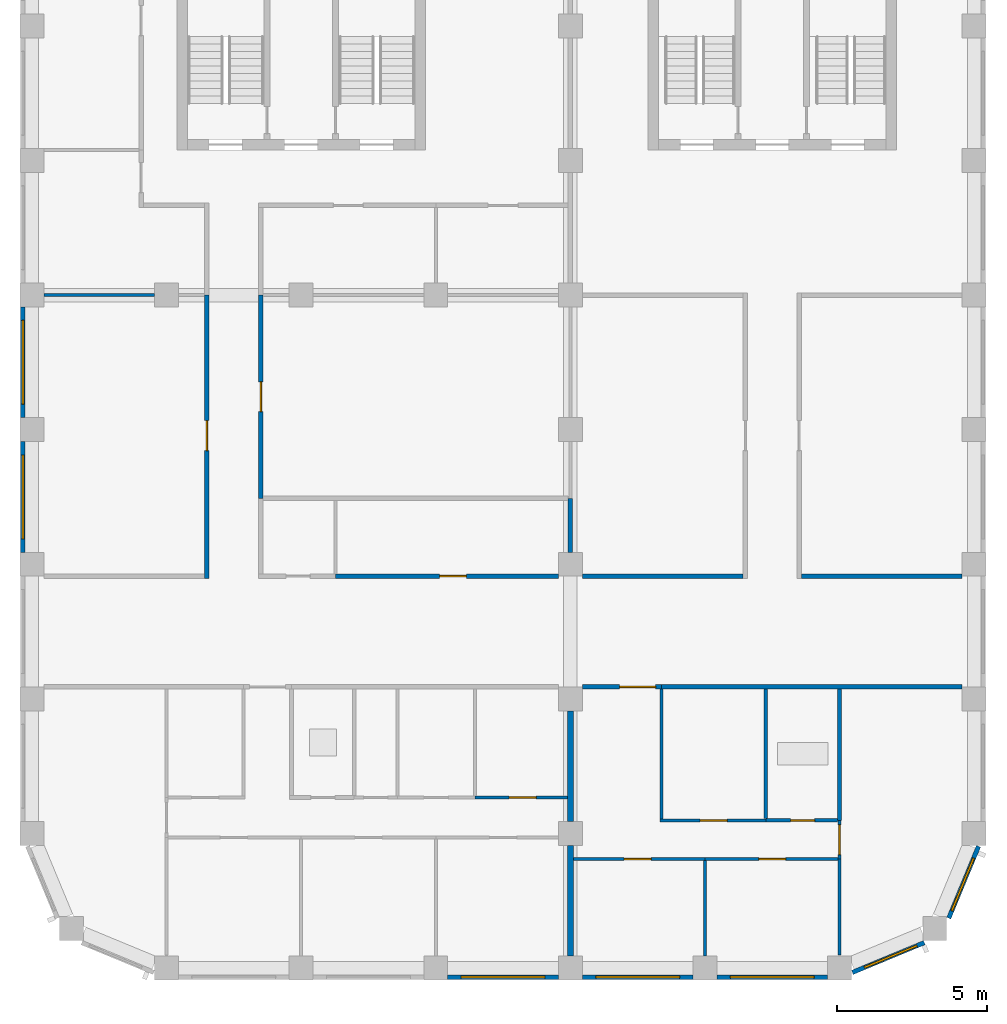
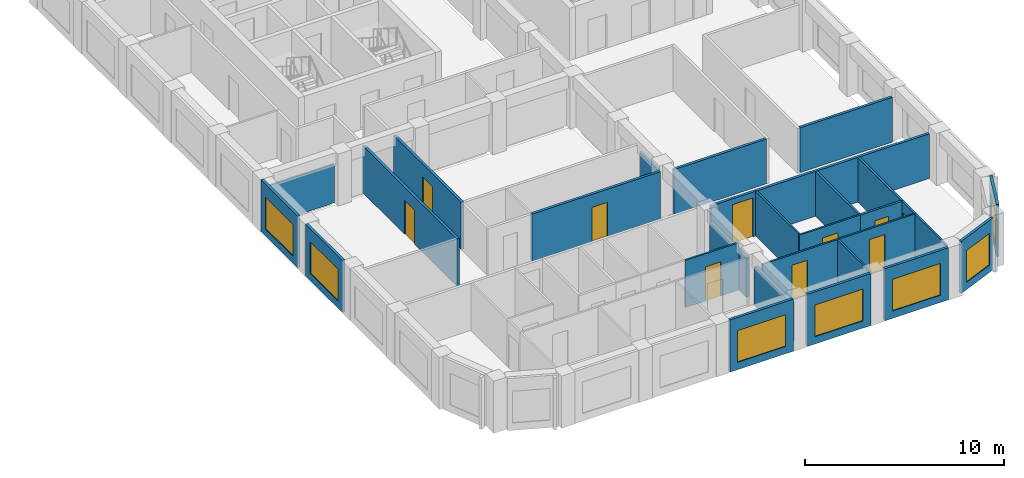
# One storey, part 3 of 10: 29 walls, 10 doors, 7 windows, 17 openings.
"""IFC4 building model written with IfcOpenShell, lengths in metres."""

from ifc_helpers import new_model, si_unit, direction, frame, frame_2d, origin, place, context, subcontext, project, spatial, rectangle, extrude, material, layer, layer_set, type_object, element, fill, save


model = new_model("IFC4")

# Units and contexts
model_context = context("Model", 3, precision=1e-05, world=origin(), true_north=direction((0.0, 1.0)))
body_context = subcontext(model_context, "Body", "Model", "MODEL_VIEW")
ifc_project = project(units=[si_unit("LENGTHUNIT", "METRE"), si_unit("AREAUNIT", "SQUARE_METRE"), si_unit("VOLUMEUNIT", "CUBIC_METRE"), si_unit("PLANEANGLEUNIT", "RADIAN"), si_unit("MASSUNIT", "GRAM", prefix="KILO")], contexts=[model_context])

# Site, building, storey
site_placement = place(None, origin())
site = spatial("IfcSite", under=ifc_project, at=site_placement, CompositionType="ELEMENT")
building_placement = place(site_placement, origin())
building = spatial("IfcBuilding", under=site, at=building_placement, Name="Girih Gate Residences", CompositionType="ELEMENT")
storey_placement = place(building_placement, frame((0.0, 0.0, 195.5)))
storey = spatial("IfcBuildingStorey", under=building, at=storey_placement, Name="L54", CompositionType="ELEMENT", Elevation=195.5)

# Wall, opening, door
ifc_material_1 = material(Name="Gypsum board on steel studs", Category="steel")
ifc_layer_1 = layer(ifc_material_1, 0.14990234375)
ifc_layer_set_1 = layer_set([ifc_layer_1], Name="Compartment wall 150 mm")
wall_type_1 = type_object("IfcWallType", Name="Compartment wall 150 mm", PredefinedType="PARTITIONING", material=ifc_layer_set_1)
wall_1_placement = place(storey_placement, frame((21.050048828125, 9.39990234375, 0.0), z_axis=(0.0, 0.0, 1.0), x_axis=(-1.0, 0.0, 0.0)))
wall_1 = element("IfcWall", 1, at=wall_1_placement, inside=storey, type_object=wall_type_1, Name="L54 partition", PredefinedType="PARTITIONING", context=body_context, shape_type="SweptSolid", body=[
    extrude(rectangle(XDim=2.650146484375, YDim=0.14990234375, at=frame_2d((1.3251953125, 0.0))), origin(), (0.0, 0.0, 1.0), 2.75),
])
opening_1_placement = place(wall_1_placement, frame((0.199951171875, 0.0, 0.0)))
opening_1 = element("IfcOpeningElement", 2, at=opening_1_placement, cuts=wall_1, Name="Opening A54-026", PredefinedType="OPENING", context=body_context, shape_type="SweptSolid", body=[
    extrude(rectangle(XDim=1.199951171875, YDim=2.39990234375, at=frame_2d((0.60009765625, 1.199951171875))), frame((0.0, 0.0849609375, 0.0), z_axis=(0.0, -1.0, 0.0), x_axis=(1.0, 0.0, 0.0)), (0.0, 0.0, 1.0), 0.169921875),
])
ifc_material_2 = material(Name="Timber, fire-rated core", Category="wood")
door_type_1 = type_object("IfcDoorType", Name="Villa entrance door 1200x2400 FD30S", OperationType="NOTDEFINED", PredefinedType="DOOR", material=ifc_material_2)
door_1_placement = place(opening_1_placement, origin())
door_1 = element("IfcDoor", 3, at=door_1_placement, inside=storey, type_object=door_type_1, Name="Door A54-026", OperationType="SINGLE_SWING_LEFT", OverallHeight=2.39990234375, OverallWidth=1.199951171875, PredefinedType="DOOR", context=body_context, shape_type="SweptSolid", body=[
    extrude(rectangle(XDim=1.199951171875, YDim=2.39990234375, at=frame_2d((0.60009765625, 1.199951171875))), frame((0.0, 0.02490234375, 0.0), z_axis=(0.0, -1.0, 0.0), x_axis=(1.0, 0.0, 0.0)), (0.0, 0.0, 1.0), 0.050048828125),
])
fill(opening_1, door_1)

# Wall
wall_2_placement = place(storey_placement, frame((21.050048828125, 9.39990234375, 0.0), z_axis=(0.0, 0.0, 1.0), x_axis=(1.0, 0.0, 0.0)))
element("IfcWall", 4, at=wall_2_placement, inside=storey, type_object=wall_type_1, Name="L54 partition", PredefinedType="PARTITIONING", context=body_context, shape_type="SweptSolid", body=[
    extrude(rectangle(XDim=10.050048828125, YDim=0.14990234375, at=frame_2d((5.02490234375, 0.0))), origin(), (0.0, 0.0, 1.0), 2.75),
])

# Wall, opening, door
wall_3_placement = place(storey_placement, frame((7.64990234375, 22.5, 0.0), z_axis=(0.0, 0.0, 1.0), x_axis=(0.0, -1.0, 0.0)))
wall_3 = element("IfcWall", 5, at=wall_3_placement, inside=storey, type_object=wall_type_1, Name="L54 partition", PredefinedType="PARTITIONING", context=body_context, shape_type="SweptSolid", body=[
    extrude(rectangle(XDim=6.800048828125, YDim=0.14990234375, at=frame_2d((3.39990234375, 0.0))), origin(), (0.0, 0.0, 1.0), 2.89990234375),
])
opening_2_placement = place(wall_3_placement, frame((2.89990234375, 0.0, 0.0)))
opening_2 = element("IfcOpeningElement", 6, at=opening_2_placement, cuts=wall_3, Name="Opening A54-027", PredefinedType="OPENING", context=body_context, shape_type="SweptSolid", body=[
    extrude(rectangle(XDim=1.0, YDim=2.10009765625, at=frame_2d((0.5, 1.050048828125))), frame((0.0, 0.0849609375, 0.0), z_axis=(0.0, -1.0, 0.0), x_axis=(1.0, 0.0, 0.0)), (0.0, 0.0, 1.0), 0.169921875),
])
door_type_2 = type_object("IfcDoorType", Name="Amenity room door 1000x2100 FD30S", OperationType="NOTDEFINED", PredefinedType="DOOR", material=ifc_material_2)
door_2_placement = place(opening_2_placement, origin())
door_2 = element("IfcDoor", 7, at=door_2_placement, inside=storey, type_object=door_type_2, Name="Door A54-027", OperationType="SINGLE_SWING_LEFT", OverallHeight=2.10009765625, OverallWidth=1.0, PredefinedType="DOOR", context=body_context, shape_type="SweptSolid", body=[
    extrude(rectangle(XDim=1.0, YDim=2.10009765625, at=frame_2d((0.5, 1.050048828125))), frame((0.0, 0.02490234375, 0.0), z_axis=(0.0, -1.0, 0.0), x_axis=(1.0, 0.0, 0.0)), (0.0, 0.0, 1.0), 0.050048828125),
])
fill(opening_2, door_2)

# Walls
for number, where, z_axis, x_axis, name in (
    (8, (18.39990234375, 13.10009765625, 0.0), (0.0, 0.0, 1.0), (1.0, 0.0, 0.0), "L54 partition"),
    (9, (25.72509765625, 13.10009765625, 0.0), (0.0, 0.0, 1.0), (1.0, 0.0, 0.0), "L54 partition"),
):
    element("IfcWall", number, at=place(storey_placement, frame(where, z_axis=z_axis, x_axis=x_axis)), inside=storey, type_object=wall_type_1, Name=name, PredefinedType="PARTITIONING", context=body_context, shape_type="SweptSolid", body=[
        extrude(rectangle(XDim=5.375, YDim=0.14990234375, at=frame_2d((2.6875, 0.0))), origin(), (0.0, 0.0, 1.0), 2.75),
    ])

# Wall, opening, door
wall_4_placement = place(storey_placement, frame((10.14990234375, 13.10009765625, 0.0), z_axis=(0.0, 0.0, 1.0), x_axis=(1.0, 0.0, 0.0)))
wall_4 = element("IfcWall", 10, at=wall_4_placement, inside=storey, type_object=wall_type_1, Name="L54 partition", PredefinedType="PARTITIONING", context=body_context, shape_type="SweptSolid", body=[
    extrude(rectangle(XDim=7.4501953125, YDim=0.14990234375, at=frame_2d((3.72509765625, 0.0))), origin(), (0.0, 0.0, 1.0), 2.89990234375),
])
opening_3_placement = place(wall_4_placement, frame((3.47509765625, 0.0, 0.0)))
opening_3 = element("IfcOpeningElement", 11, at=opening_3_placement, cuts=wall_4, Name="Opening A54-033", PredefinedType="OPENING", context=body_context, shape_type="SweptSolid", body=[
    extrude(rectangle(XDim=0.89990234375, YDim=2.10009765625, at=frame_2d((0.449951171875, 1.050048828125))), frame((0.0, 0.0849609375, 0.0), z_axis=(0.0, -1.0, 0.0), x_axis=(1.0, 0.0, 0.0)), (0.0, 0.0, 1.0), 0.169921875),
])
ifc_material_3 = material(Name="Timber", Category="wood")
door_type_3 = type_object("IfcDoorType", Name="Service room door 900x2100", OperationType="NOTDEFINED", PredefinedType="DOOR", material=ifc_material_3)
door_3_placement = place(opening_3_placement, origin())
door_3 = element("IfcDoor", 12, at=door_3_placement, inside=storey, type_object=door_type_3, Name="Door A54-033", OperationType="SINGLE_SWING_RIGHT", OverallHeight=2.10009765625, OverallWidth=0.89990234375, PredefinedType="DOOR", context=body_context, shape_type="SweptSolid", body=[
    extrude(rectangle(XDim=0.89990234375, YDim=2.10009765625, at=frame_2d((0.449951171875, 1.050048828125))), frame((0.0, 0.02490234375, 0.0), z_axis=(0.0, -1.0, 0.0), x_axis=(1.0, 0.0, 0.0)), (0.0, 0.0, 1.0), 0.050048828125),
])
fill(opening_3, door_3)

# Wall
wall_5_placement = place(storey_placement, frame((18.0, 13.89990234375, 0.0), z_axis=(0.0, 0.0, 1.0), x_axis=(0.0, 1.0, 0.0)))
element("IfcWall", 13, at=wall_5_placement, inside=storey, type_object=wall_type_1, Name="L54 partition", PredefinedType="PARTITIONING", context=body_context, shape_type="SweptSolid", body=[
    extrude(rectangle(XDim=1.800048828125, YDim=0.14990234375, at=frame_2d((0.89990234375, 0.0))), origin(), (0.0, 0.0, 1.0), 2.3798828125),
])

# Wall, opening, door
wall_6_placement = place(storey_placement, frame((5.85009765625, 13.02490234375, 0.0), z_axis=(0.0, 0.0, 1.0), x_axis=(0.0, 1.0, 0.0)))
wall_6 = element("IfcWall", 14, at=wall_6_placement, inside=storey, type_object=wall_type_1, Name="L54 partition", PredefinedType="PARTITIONING", context=body_context, shape_type="SweptSolid", body=[
    extrude(rectangle(XDim=9.47509765625, YDim=0.14990234375, at=frame_2d((4.737548828125, 0.0))), origin(), (0.0, 0.0, 1.0), 2.89990234375),
])
opening_4_placement = place(wall_6_placement, frame((4.27490234375, 0.0, 0.0)))
opening_4 = element("IfcOpeningElement", 15, at=opening_4_placement, cuts=wall_6, Name="Opening A54-040", PredefinedType="OPENING", context=body_context, shape_type="SweptSolid", body=[
    extrude(rectangle(XDim=1.0, YDim=2.10009765625, at=frame_2d((0.5, 1.050048828125))), frame((0.0, 0.0849609375, 0.0), z_axis=(0.0, -1.0, 0.0), x_axis=(1.0, 0.0, 0.0)), (0.0, 0.0, 1.0), 0.169921875),
])
door_4_placement = place(opening_4_placement, origin())
door_4 = element("IfcDoor", 16, at=door_4_placement, inside=storey, type_object=door_type_2, Name="Door A54-040", OperationType="SINGLE_SWING_RIGHT", OverallHeight=2.10009765625, OverallWidth=1.0, PredefinedType="DOOR", context=body_context, shape_type="SweptSolid", body=[
    extrude(rectangle(XDim=1.0, YDim=2.10009765625, at=frame_2d((0.5, 1.050048828125))), frame((0.0, 0.02490234375, 0.0), z_axis=(0.0, -1.0, 0.0), x_axis=(1.0, 0.0, 0.0)), (0.0, 0.0, 1.0), 0.050048828125),
])
fill(opening_4, door_4)

ifc_layer_2 = layer(ifc_material_1, 0.10009765625)
ifc_layer_set_2 = layer_set([ifc_layer_2], Name="Partition 100 mm")
wall_type_2 = type_object("IfcWallType", Name="Partition 100 mm", PredefinedType="PARTITIONING", material=ifc_layer_set_2)
wall_7_placement = place(storey_placement, frame((14.8076171875, 5.699951171875, 0.0), z_axis=(0.0, 0.0, 1.0), x_axis=(1.0, 0.0, 0.0)))
wall_7 = element("IfcWall", 17, at=wall_7_placement, inside=storey, type_object=wall_type_2, Name="L54 partition", PredefinedType="PARTITIONING", context=body_context, shape_type="SweptSolid", body=[
    extrude(rectangle(XDim=3.09228515625, YDim=0.10009765625, at=frame_2d((1.546142578125, 0.0))), origin(), (0.0, 0.0, 1.0), 2.89990234375),
])
opening_5_placement = place(wall_7_placement, frame((1.146240234375, 0.0, 0.0)))
opening_5 = element("IfcOpeningElement", 18, at=opening_5_placement, cuts=wall_7, Name="Opening A54-009", PredefinedType="OPENING", context=body_context, shape_type="SweptSolid", body=[
    extrude(rectangle(XDim=0.89990234375, YDim=2.10009765625, at=frame_2d((0.449951171875, 1.050048828125))), frame((0.0, 0.06005859375, 0.0), z_axis=(0.0, -1.0, 0.0), x_axis=(1.0, 0.0, 0.0)), (0.0, 0.0, 1.0), 0.1201171875),
])
door_type_4 = type_object("IfcDoorType", Name="Bedroom door 900x2100", OperationType="NOTDEFINED", PredefinedType="DOOR", material=ifc_material_3)
door_5_placement = place(opening_5_placement, origin())
door_5 = element("IfcDoor", 19, at=door_5_placement, inside=storey, type_object=door_type_4, Name="Door A54-009", OperationType="SINGLE_SWING_RIGHT", OverallHeight=2.10009765625, OverallWidth=0.89990234375, PredefinedType="DOOR", context=body_context, shape_type="SweptSolid", body=[
    extrude(rectangle(XDim=0.89990234375, YDim=2.10009765625, at=frame_2d((0.449951171875, 1.050048828125))), frame((0.0, 0.02490234375, 0.0), z_axis=(0.0, -1.0, 0.0), x_axis=(1.0, 0.0, 0.0)), (0.0, 0.0, 1.0), 0.050048828125),
])
fill(opening_5, door_5)

# Wall
wall_8_placement = place(storey_placement, frame((22.5, 0.39990234375, 0.0), z_axis=(0.0, 0.0, 1.0), x_axis=(0.0, 1.0, 0.0)))
element("IfcWall", 20, at=wall_8_placement, inside=storey, type_object=wall_type_2, Name="L54 partition", PredefinedType="PARTITIONING", context=body_context, shape_type="SweptSolid", body=[
    extrude(rectangle(XDim=3.190185546875, YDim=0.10009765625, at=frame_2d((1.59521484375, 0.0))), origin(), (0.0, 0.0, 1.0), 2.75),
])

# Wall, opening, door
wall_9_placement = place(storey_placement, frame((22.5, 3.639892578125, 0.0), z_axis=(0.0, 0.0, 1.0), x_axis=(-1.0, 0.0, 0.0)))
wall_9 = element("IfcWall", 21, at=wall_9_placement, inside=storey, type_object=wall_type_2, Name="L54 partition", PredefinedType="PARTITIONING", context=body_context, shape_type="SweptSolid", body=[
    extrude(rectangle(XDim=4.39990234375, YDim=0.10009765625, at=frame_2d((2.199951171875, 0.0))), origin(), (0.0, 0.0, 1.0), 2.75),
])
opening_6_placement = place(wall_9_placement, frame((1.800048828125, 0.0, 0.0)))
opening_6 = element("IfcOpeningElement", 22, at=opening_6_placement, cuts=wall_9, Name="Opening A54-022", PredefinedType="OPENING", context=body_context, shape_type="SweptSolid", body=[
    extrude(rectangle(XDim=0.89990234375, YDim=2.10009765625, at=frame_2d((0.449951171875, 1.050048828125))), frame((0.0, 0.06005859375, 0.0), z_axis=(0.0, -1.0, 0.0), x_axis=(1.0, 0.0, 0.0)), (0.0, 0.0, 1.0), 0.1201171875),
])
door_6_placement = place(opening_6_placement, origin())
door_6 = element("IfcDoor", 23, at=door_6_placement, inside=storey, type_object=door_type_4, Name="Door A54-022", OperationType="SINGLE_SWING_RIGHT", OverallHeight=2.10009765625, OverallWidth=0.89990234375, PredefinedType="DOOR", context=body_context, shape_type="SweptSolid", body=[
    extrude(rectangle(XDim=0.89990234375, YDim=2.10009765625, at=frame_2d((0.449951171875, 1.050048828125))), frame((0.0, 0.02490234375, 0.0), z_axis=(0.0, -1.0, 0.0), x_axis=(1.0, 0.0, 0.0)), (0.0, 0.0, 1.0), 0.050048828125),
])
fill(opening_6, door_6)

wall_10_placement = place(storey_placement, frame((26.949951171875, 3.639892578125, 0.0), z_axis=(0.0, 0.0, 1.0), x_axis=(-1.0, 0.0, 0.0)))
wall_10 = element("IfcWall", 24, at=wall_10_placement, inside=storey, type_object=wall_type_2, Name="L54 partition", PredefinedType="PARTITIONING", context=body_context, shape_type="SweptSolid", body=[
    extrude(rectangle(XDim=4.449951171875, YDim=0.10009765625, at=frame_2d((2.22509765625, 0.0))), origin(), (0.0, 0.0, 1.0), 2.75),
])
opening_7_placement = place(wall_10_placement, frame((1.75, 0.0, 0.0)))
opening_7 = element("IfcOpeningElement", 25, at=opening_7_placement, cuts=wall_10, Name="Opening A54-023", PredefinedType="OPENING", context=body_context, shape_type="SweptSolid", body=[
    extrude(rectangle(XDim=0.89990234375, YDim=2.10009765625, at=frame_2d((0.449951171875, 1.050048828125))), frame((0.0, 0.06005859375, 0.0), z_axis=(0.0, -1.0, 0.0), x_axis=(1.0, 0.0, 0.0)), (0.0, 0.0, 1.0), 0.1201171875),
])
door_7_placement = place(opening_7_placement, origin())
door_7 = element("IfcDoor", 26, at=door_7_placement, inside=storey, type_object=door_type_4, Name="Door A54-023", OperationType="SINGLE_SWING_LEFT", OverallHeight=2.10009765625, OverallWidth=0.89990234375, PredefinedType="DOOR", context=body_context, shape_type="SweptSolid", body=[
    extrude(rectangle(XDim=0.89990234375, YDim=2.10009765625, at=frame_2d((0.449951171875, 1.050048828125))), frame((0.0, 0.02490234375, 0.0), z_axis=(0.0, -1.0, 0.0), x_axis=(1.0, 0.0, 0.0)), (0.0, 0.0, 1.0), 0.050048828125),
])
fill(opening_7, door_7)

# Walls
wall_11_placement = place(storey_placement, frame((27.0, 0.432861328125, 0.0), z_axis=(0.0, 0.0, 1.0), x_axis=(0.0, 1.0, 0.0)))
element("IfcWall", 27, at=wall_11_placement, inside=storey, type_object=wall_type_2, Name="L54 partition", PredefinedType="PARTITIONING", context=body_context, shape_type="SweptSolid", body=[
    extrude(rectangle(XDim=3.20703125, YDim=0.10009765625, at=frame_2d((1.603515625, 0.0))), origin(), (0.0, 0.0, 1.0), 2.75),
])
wall_12_placement = place(storey_placement, frame((21.050048828125, 4.989990234375, 0.0), z_axis=(0.0, 0.0, 1.0), x_axis=(0.0, 1.0, 0.0)))
element("IfcWall", 28, at=wall_12_placement, inside=storey, type_object=wall_type_2, Name="L54 partition", PredefinedType="PARTITIONING", context=body_context, shape_type="SweptSolid", body=[
    extrude(rectangle(XDim=4.3349609375, YDim=0.10009765625, at=frame_2d((2.16748046875, 0.0))), origin(), (0.0, 0.0, 1.0), 2.75),
])

# Wall, opening, door
wall_13_placement = place(storey_placement, frame((21.0, 4.93994140625, 0.0), z_axis=(0.0, 0.0, 1.0), x_axis=(1.0, 0.0, 0.0)))
wall_13 = element("IfcWall", 29, at=wall_13_placement, inside=storey, type_object=wall_type_2, Name="L54 partition", PredefinedType="PARTITIONING", context=body_context, shape_type="SweptSolid", body=[
    extrude(rectangle(XDim=3.53369140625, YDim=0.10009765625, at=frame_2d((1.766845703125, 0.0))), origin(), (0.0, 0.0, 1.0), 2.75),
])
opening_8_placement = place(wall_13_placement, frame((1.341796875, 0.0, 0.0)))
opening_8 = element("IfcOpeningElement", 30, at=opening_8_placement, cuts=wall_13, Name="Opening A54-024", PredefinedType="OPENING", context=body_context, shape_type="SweptSolid", body=[
    extrude(rectangle(XDim=0.89990234375, YDim=2.10009765625, at=frame_2d((0.449951171875, 1.050048828125))), frame((0.0, 0.06005859375, 0.0), z_axis=(0.0, -1.0, 0.0), x_axis=(1.0, 0.0, 0.0)), (0.0, 0.0, 1.0), 0.1201171875),
])
door_type_5 = type_object("IfcDoorType", Name="Kitchen door 900x2100", OperationType="NOTDEFINED", PredefinedType="DOOR", material=ifc_material_3)
door_8_placement = place(opening_8_placement, origin())
door_8 = element("IfcDoor", 31, at=door_8_placement, inside=storey, type_object=door_type_5, Name="Door A54-024", OperationType="SINGLE_SWING_RIGHT", OverallHeight=2.10009765625, OverallWidth=0.89990234375, PredefinedType="DOOR", context=body_context, shape_type="SweptSolid", body=[
    extrude(rectangle(XDim=0.89990234375, YDim=2.10009765625, at=frame_2d((0.449951171875, 1.050048828125))), frame((0.0, 0.02490234375, 0.0), z_axis=(0.0, -1.0, 0.0), x_axis=(1.0, 0.0, 0.0)), (0.0, 0.0, 1.0), 0.050048828125),
])
fill(opening_8, door_8)

wall_14_placement = place(storey_placement, frame((27.0, 4.93994140625, 0.0), z_axis=(0.0, 0.0, 1.0), x_axis=(0.0, -1.0, 0.0)))
wall_14 = element("IfcWall", 32, at=wall_14_placement, inside=storey, type_object=wall_type_2, Name="L54 partition", PredefinedType="PARTITIONING", context=body_context, shape_type="SweptSolid", body=[
    extrude(rectangle(XDim=1.300048828125, YDim=0.10009765625, at=frame_2d((0.64990234375, 0.0))), origin(), (0.0, 0.0, 1.0), 2.75),
])
opening_9_placement = place(wall_14_placement, frame((0.14990234375, 0.0, 0.0)))
opening_9 = element("IfcOpeningElement", 33, at=opening_9_placement, cuts=wall_14, Name="Opening A54-025", PredefinedType="OPENING", context=body_context, shape_type="SweptSolid", body=[
    extrude(rectangle(XDim=1.0, YDim=2.10009765625, at=frame_2d((0.5, 1.050048828125))), frame((0.0, 0.06005859375, 0.0), z_axis=(0.0, -1.0, 0.0), x_axis=(1.0, 0.0, 0.0)), (0.0, 0.0, 1.0), 0.1201171875),
])
door_type_6 = type_object("IfcDoorType", Name="Living room door 1000x2100", OperationType="NOTDEFINED", PredefinedType="DOOR", material=ifc_material_3)
door_9_placement = place(opening_9_placement, origin())
door_9 = element("IfcDoor", 34, at=door_9_placement, inside=storey, type_object=door_type_6, Name="Door A54-025", OperationType="SINGLE_SWING_RIGHT", OverallHeight=2.10009765625, OverallWidth=1.0, PredefinedType="DOOR", context=body_context, shape_type="SweptSolid", body=[
    extrude(rectangle(XDim=1.0, YDim=2.10009765625, at=frame_2d((0.5, 1.050048828125))), frame((0.0, 0.02490234375, 0.0), z_axis=(0.0, -1.0, 0.0), x_axis=(1.0, 0.0, 0.0)), (0.0, 0.0, 1.0), 0.050048828125),
])
fill(opening_9, door_9)

# Walls
wall_15_placement = place(storey_placement, frame((0.39990234375, 22.5, 0.0), z_axis=(0.0, 0.0, 1.0), x_axis=(1.0, 0.0, 0.0)))
element("IfcWall", 35, at=wall_15_placement, inside=storey, type_object=wall_type_2, Name="L54 partition", PredefinedType="PARTITIONING", context=body_context, shape_type="SweptSolid", body=[
    extrude(rectangle(XDim=3.7001953125, YDim=0.10009765625, at=frame_2d((1.85009765625, 0.0))), origin(), (0.0, 0.0, 1.0), 2.3798828125),
])
ifc_layer_3 = layer(ifc_material_1, 0.199951171875)
ifc_layer_set_3 = layer_set([ifc_layer_3], Name="Party wall 200 mm")
wall_type_3 = type_object("IfcWallType", Name="Party wall 200 mm", PredefinedType="PARTITIONING", material=ifc_layer_set_3)
for number, where, z_axis, x_axis, name in (
    (36, (18.0, 0.39990234375, 0.0), (0.0, 0.0, 1.0), (0.0, 1.0, 0.0), "L54 partition"),
    (37, (18.0, 4.89990234375, 0.0), (0.0, 0.0, 1.0), (0.0, 1.0, 0.0), "L54 partition"),
):
    element("IfcWall", number, at=place(storey_placement, frame(where, z_axis=z_axis, x_axis=x_axis)), inside=storey, type_object=wall_type_3, Name=name, PredefinedType="PARTITIONING", context=body_context, shape_type="SweptSolid", body=[
        extrude(rectangle(XDim=3.7001953125, YDim=0.199951171875, at=frame_2d((1.85009765625, 0.0))), origin(), (0.0, 0.0, 1.0), 2.3798828125),
    ])

# Wall, opening, window
ifc_material_4 = material(Name="Precast concrete C50/60", Category="concrete")
ifc_layer_4 = layer(ifc_material_4, 0.050048828125, Name="Outer leaf")
ifc_material_5 = material(Name="Rigid PIR insulation")
ifc_layer_5 = layer(ifc_material_5, 0.06005859375, Name="Insulation")
ifc_material_6 = material(Name="Precast concrete C40/50", Category="concrete")
ifc_layer_6 = layer(ifc_material_6, 0.0400390625, Name="Inner leaf")
ifc_layer_set_4 = layer_set([ifc_layer_4, ifc_layer_5, ifc_layer_6], Name="Precast concrete C50/60 external wall 150")
wall_type_4 = type_object("IfcWallType", Name="Precast concrete C50/60 external wall 150", PredefinedType="SOLIDWALL", material=ifc_layer_set_4)
wall_16_placement = place(storey_placement, frame((29.8330078125, 0.8486328125, 0.0), z_axis=(0.0, 0.0, 1.0), x_axis=(-0.923885342263, -0.382669406082, 0.0)))
wall_16 = element("IfcWall", 38, at=wall_16_placement, inside=storey, type_object=wall_type_4, Name="External wall SE0270_0000.0", PredefinedType="SOLIDWALL", context=body_context, shape_type="SweptSolid", body=[
    extrude(rectangle(XDim=2.602294921875, YDim=0.14990234375, at=frame_2d((1.30126953125, 0.0))), origin(), (0.0, 0.0, 1.0), 3.199951171875),
])
opening_10_placement = place(wall_16_placement, frame((0.27001953125, 0.0, 0.449951171875)))
opening_10 = element("IfcOpeningElement", 39, at=opening_10_placement, cuts=wall_16, Name="Opening W-2G", PredefinedType="OPENING", context=body_context, shape_type="SweptSolid", body=[
    extrude(rectangle(XDim=1.89990234375, YDim=1.949951171875, at=frame_2d((0.949951171875, 0.97509765625))), frame((0.0, 0.0849609375, 0.0), z_axis=(0.0, -1.0, 0.0), x_axis=(1.0, 0.0, 0.0)), (0.0, 0.0, 1.0), 0.169921875),
])
ifc_material_7 = material(Name="Double glazing in aluminium frame", Category="aluminium")
window_type_1 = type_object("IfcWindowType", Name="Window W-2G 1900x1950", PartitioningType="SINGLE_PANEL", PredefinedType="WINDOW", material=ifc_material_7)
window_1_placement = place(opening_10_placement, origin())
window_1 = element("IfcWindow", 40, at=window_1_placement, inside=storey, type_object=window_type_1, Name="Window W-2G SE0270_0000.0", OverallHeight=1.949951171875, OverallWidth=1.89990234375, PartitioningType="SINGLE_PANEL", PredefinedType="WINDOW", context=body_context, shape_type="SweptSolid", body=[
    extrude(rectangle(XDim=1.89990234375, YDim=1.949951171875, at=frame_2d((0.949951171875, 0.97509765625))), frame((0.0, 0.030029296875, 0.0), z_axis=(0.0, -1.0, 0.0), x_axis=(1.0, 0.0, 0.0)), (0.0, 0.0, 1.0), 0.06005859375),
])
fill(opening_10, window_1)

wall_17_placement = place(storey_placement, frame((31.647216796875, 4.0712890625, 0.0), z_axis=(0.0, 0.0, 1.0), x_axis=(-0.382669406082, -0.923885342263, 0.0)))
wall_17 = element("IfcWall", 41, at=wall_17_placement, inside=storey, type_object=wall_type_4, Name="External wall SE0302_0013.0", PredefinedType="SOLIDWALL", context=body_context, shape_type="SweptSolid", body=[
    extrude(rectangle(XDim=2.602294921875, YDim=0.14990234375, at=frame_2d((1.30126953125, 0.0))), origin(), (0.0, 0.0, 1.0), 3.199951171875),
])
opening_11_placement = place(wall_17_placement, frame((0.432373046875, 0.0, 0.449951171875)))
opening_11 = element("IfcOpeningElement", 42, at=opening_11_placement, cuts=wall_17, Name="Opening W-2G", PredefinedType="OPENING", context=body_context, shape_type="SweptSolid", body=[
    extrude(rectangle(XDim=1.89990234375, YDim=1.949951171875, at=frame_2d((0.949951171875, 0.97509765625))), frame((0.0, 0.0849609375, 0.0), z_axis=(0.0, -1.0, 0.0), x_axis=(1.0, 0.0, 0.0)), (0.0, 0.0, 1.0), 0.169921875),
])
window_2_placement = place(opening_11_placement, origin())
window_2 = element("IfcWindow", 43, at=window_2_placement, inside=storey, type_object=window_type_1, Name="Window W-2G SE0302_0013.0", OverallHeight=1.949951171875, OverallWidth=1.89990234375, PartitioningType="SINGLE_PANEL", PredefinedType="WINDOW", context=body_context, shape_type="SweptSolid", body=[
    extrude(rectangle(XDim=1.89990234375, YDim=1.949951171875, at=frame_2d((0.949951171875, 0.97509765625))), frame((0.0, 0.030029296875, 0.0), z_axis=(0.0, -1.0, 0.0), x_axis=(1.0, 0.0, 0.0)), (0.0, 0.0, 1.0), 0.06005859375),
])
fill(opening_11, window_2)

wall_18_placement = place(storey_placement, frame((-0.300048828125, 18.39990234375, 0.0), z_axis=(0.0, 0.0, 1.0), x_axis=(0.0, 1.0, 0.0)))
wall_18 = element("IfcWall", 44, at=wall_18_placement, inside=storey, type_object=wall_type_4, Name="External wall W0000_0450.5", PredefinedType="SOLIDWALL", context=body_context, shape_type="SweptSolid", body=[
    extrude(rectangle(XDim=3.7001953125, YDim=0.14990234375, at=frame_2d((1.85009765625, 0.0))), origin(), (0.0, 0.0, 1.0), 3.199951171875),
])
opening_12_placement = place(wall_18_placement, frame((0.449951171875, 0.0, 0.449951171875)))
opening_12 = element("IfcOpeningElement", 45, at=opening_12_placement, cuts=wall_18, Name="Opening W-1B", PredefinedType="OPENING", context=body_context, shape_type="SweptSolid", body=[
    extrude(rectangle(XDim=2.800048828125, YDim=1.949951171875, at=frame_2d((1.39990234375, 0.97509765625))), frame((0.0, 0.0849609375, 0.0), z_axis=(0.0, -1.0, 0.0), x_axis=(1.0, 0.0, 0.0)), (0.0, 0.0, 1.0), 0.169921875),
])
window_type_2 = type_object("IfcWindowType", Name="Window W-1B 2800x1950", PartitioningType="SINGLE_PANEL", PredefinedType="WINDOW", material=ifc_material_7)
window_3_placement = place(opening_12_placement, origin())
window_3 = element("IfcWindow", 46, at=window_3_placement, inside=storey, type_object=window_type_2, Name="Window W-1B W0000_0450.5", OverallHeight=1.949951171875, OverallWidth=2.800048828125, PartitioningType="SINGLE_PANEL", PredefinedType="WINDOW", context=body_context, shape_type="SweptSolid", body=[
    extrude(rectangle(XDim=2.800048828125, YDim=1.949951171875, at=frame_2d((1.39990234375, 0.97509765625))), frame((0.0, 0.030029296875, 0.0), z_axis=(0.0, -1.0, 0.0), x_axis=(1.0, 0.0, 0.0)), (0.0, 0.0, 1.0), 0.06005859375),
])
fill(opening_12, window_3)

wall_19_placement = place(storey_placement, frame((-0.300048828125, 13.89990234375, 0.0), z_axis=(0.0, 0.0, 1.0), x_axis=(0.0, 1.0, 0.0)))
wall_19 = element("IfcWall", 47, at=wall_19_placement, inside=storey, type_object=wall_type_4, Name="External wall W0000_0450.6", PredefinedType="SOLIDWALL", context=body_context, shape_type="SweptSolid", body=[
    extrude(rectangle(XDim=3.7001953125, YDim=0.14990234375, at=frame_2d((1.85009765625, 0.0))), origin(), (0.0, 0.0, 1.0), 3.199951171875),
])
opening_13_placement = place(wall_19_placement, frame((0.449951171875, 0.0, 0.449951171875)))
opening_13 = element("IfcOpeningElement", 48, at=opening_13_placement, cuts=wall_19, Name="Opening W-1B", PredefinedType="OPENING", context=body_context, shape_type="SweptSolid", body=[
    extrude(rectangle(XDim=2.800048828125, YDim=1.949951171875, at=frame_2d((1.39990234375, 0.97509765625))), frame((0.0, 0.0849609375, 0.0), z_axis=(0.0, -1.0, 0.0), x_axis=(1.0, 0.0, 0.0)), (0.0, 0.0, 1.0), 0.169921875),
])
window_4_placement = place(opening_13_placement, origin())
window_4 = element("IfcWindow", 49, at=window_4_placement, inside=storey, type_object=window_type_2, Name="Window W-1B W0000_0450.6", OverallHeight=1.949951171875, OverallWidth=2.800048828125, PartitioningType="SINGLE_PANEL", PredefinedType="WINDOW", context=body_context, shape_type="SweptSolid", body=[
    extrude(rectangle(XDim=2.800048828125, YDim=1.949951171875, at=frame_2d((1.39990234375, 0.97509765625))), frame((0.0, 0.030029296875, 0.0), z_axis=(0.0, -1.0, 0.0), x_axis=(1.0, 0.0, 0.0)), (0.0, 0.0, 1.0), 0.06005859375),
])
fill(opening_13, window_4)

wall_20_placement = place(storey_placement, frame((17.60009765625, -0.300048828125, 0.0), z_axis=(0.0, 0.0, 1.0), x_axis=(-1.0, 0.0, 0.0)))
wall_20 = element("IfcWall", 50, at=wall_20_placement, inside=storey, type_object=wall_type_4, Name="External wall S0045_0000.2", PredefinedType="SOLIDWALL", context=body_context, shape_type="SweptSolid", body=[
    extrude(rectangle(XDim=3.7001953125, YDim=0.14990234375, at=frame_2d((1.85009765625, 0.0))), origin(), (0.0, 0.0, 1.0), 3.199951171875),
])
opening_14_placement = place(wall_20_placement, frame((0.449951171875, 0.0, 0.449951171875)))
opening_14 = element("IfcOpeningElement", 51, at=opening_14_placement, cuts=wall_20, Name="Opening W-1B", PredefinedType="OPENING", context=body_context, shape_type="SweptSolid", body=[
    extrude(rectangle(XDim=2.800048828125, YDim=1.949951171875, at=frame_2d((1.39990234375, 0.97509765625))), frame((0.0, 0.0849609375, 0.0), z_axis=(0.0, -1.0, 0.0), x_axis=(1.0, 0.0, 0.0)), (0.0, 0.0, 1.0), 0.169921875),
])
window_5_placement = place(opening_14_placement, origin())
window_5 = element("IfcWindow", 52, at=window_5_placement, inside=storey, type_object=window_type_2, Name="Window W-1B S0045_0000.2", OverallHeight=1.949951171875, OverallWidth=2.800048828125, PartitioningType="SINGLE_PANEL", PredefinedType="WINDOW", context=body_context, shape_type="SweptSolid", body=[
    extrude(rectangle(XDim=2.800048828125, YDim=1.949951171875, at=frame_2d((1.39990234375, 0.97509765625))), frame((0.0, 0.030029296875, 0.0), z_axis=(0.0, -1.0, 0.0), x_axis=(1.0, 0.0, 0.0)), (0.0, 0.0, 1.0), 0.06005859375),
])
fill(opening_14, window_5)

wall_21_placement = place(storey_placement, frame((22.10009765625, -0.300048828125, 0.0), z_axis=(0.0, 0.0, 1.0), x_axis=(-1.0, 0.0, 0.0)))
wall_21 = element("IfcWall", 53, at=wall_21_placement, inside=storey, type_object=wall_type_4, Name="External wall S0045_0000.3", PredefinedType="SOLIDWALL", context=body_context, shape_type="SweptSolid", body=[
    extrude(rectangle(XDim=3.7001953125, YDim=0.14990234375, at=frame_2d((1.85009765625, 0.0))), origin(), (0.0, 0.0, 1.0), 3.199951171875),
])
opening_15_placement = place(wall_21_placement, frame((0.449951171875, 0.0, 0.449951171875)))
opening_15 = element("IfcOpeningElement", 54, at=opening_15_placement, cuts=wall_21, Name="Opening W-1B", PredefinedType="OPENING", context=body_context, shape_type="SweptSolid", body=[
    extrude(rectangle(XDim=2.800048828125, YDim=1.949951171875, at=frame_2d((1.39990234375, 0.97509765625))), frame((0.0, 0.0849609375, 0.0), z_axis=(0.0, -1.0, 0.0), x_axis=(1.0, 0.0, 0.0)), (0.0, 0.0, 1.0), 0.169921875),
])
window_6_placement = place(opening_15_placement, origin())
window_6 = element("IfcWindow", 55, at=window_6_placement, inside=storey, type_object=window_type_2, Name="Window W-1B S0045_0000.3", OverallHeight=1.949951171875, OverallWidth=2.800048828125, PartitioningType="SINGLE_PANEL", PredefinedType="WINDOW", context=body_context, shape_type="SweptSolid", body=[
    extrude(rectangle(XDim=2.800048828125, YDim=1.949951171875, at=frame_2d((1.39990234375, 0.97509765625))), frame((0.0, 0.030029296875, 0.0), z_axis=(0.0, -1.0, 0.0), x_axis=(1.0, 0.0, 0.0)), (0.0, 0.0, 1.0), 0.06005859375),
])
fill(opening_15, window_6)

wall_22_placement = place(storey_placement, frame((26.60009765625, -0.300048828125, 0.0), z_axis=(0.0, 0.0, 1.0), x_axis=(-1.0, 0.0, 0.0)))
wall_22 = element("IfcWall", 56, at=wall_22_placement, inside=storey, type_object=wall_type_4, Name="External wall S0045_0000.4", PredefinedType="SOLIDWALL", context=body_context, shape_type="SweptSolid", body=[
    extrude(rectangle(XDim=3.7001953125, YDim=0.14990234375, at=frame_2d((1.85009765625, 0.0))), origin(), (0.0, 0.0, 1.0), 3.199951171875),
])
opening_16_placement = place(wall_22_placement, frame((0.449951171875, 0.0, 0.449951171875)))
opening_16 = element("IfcOpeningElement", 57, at=opening_16_placement, cuts=wall_22, Name="Opening W-1B", PredefinedType="OPENING", context=body_context, shape_type="SweptSolid", body=[
    extrude(rectangle(XDim=2.800048828125, YDim=1.949951171875, at=frame_2d((1.39990234375, 0.97509765625))), frame((0.0, 0.0849609375, 0.0), z_axis=(0.0, -1.0, 0.0), x_axis=(1.0, 0.0, 0.0)), (0.0, 0.0, 1.0), 0.169921875),
])
window_7_placement = place(opening_16_placement, origin())
window_7 = element("IfcWindow", 58, at=window_7_placement, inside=storey, type_object=window_type_2, Name="Window W-1B S0045_0000.4", OverallHeight=1.949951171875, OverallWidth=2.800048828125, PartitioningType="SINGLE_PANEL", PredefinedType="WINDOW", context=body_context, shape_type="SweptSolid", body=[
    extrude(rectangle(XDim=2.800048828125, YDim=1.949951171875, at=frame_2d((1.39990234375, 0.97509765625))), frame((0.0, 0.030029296875, 0.0), z_axis=(0.0, -1.0, 0.0), x_axis=(1.0, 0.0, 0.0)), (0.0, 0.0, 1.0), 0.06005859375),
])
fill(opening_16, window_7)

# Wall, opening, door
ifc_layer_7 = layer(ifc_material_1, 0.125)
ifc_layer_set_5 = layer_set([ifc_layer_7], Name="Wet room wall 125 mm")
wall_type_5 = type_object("IfcWallType", Name="Wet room wall 125 mm", PredefinedType="PARTITIONING", material=ifc_layer_set_5)
wall_23_placement = place(storey_placement, frame((24.53369140625, 4.93994140625, 0.0), z_axis=(0.0, 0.0, 1.0), x_axis=(1.0, 0.0, 0.0)))
wall_23 = element("IfcWall", 59, at=wall_23_placement, inside=storey, type_object=wall_type_5, Name="L54 partition", PredefinedType="PARTITIONING", context=body_context, shape_type="SweptSolid", body=[
    extrude(rectangle(XDim=2.40380859375, YDim=0.125, at=frame_2d((1.201904296875, 0.0))), origin(), (0.0, 0.0, 1.0), 2.75),
])
opening_17_placement = place(wall_23_placement, frame((0.833251953125, 0.0, 0.0)))
opening_17 = element("IfcOpeningElement", 60, at=opening_17_placement, cuts=wall_23, Name="Opening A54-021", PredefinedType="OPENING", context=body_context, shape_type="SweptSolid", body=[
    extrude(rectangle(XDim=0.800048828125, YDim=2.10009765625, at=frame_2d((0.39990234375, 1.050048828125))), frame((0.0, 0.072509765625, 0.0), z_axis=(0.0, -1.0, 0.0), x_axis=(1.0, 0.0, 0.0)), (0.0, 0.0, 1.0), 0.14501953125),
])
door_type_7 = type_object("IfcDoorType", Name="Bathroom door 800x2100", OperationType="NOTDEFINED", PredefinedType="DOOR", material=ifc_material_3)
door_10_placement = place(opening_17_placement, origin())
door_10 = element("IfcDoor", 61, at=door_10_placement, inside=storey, type_object=door_type_7, Name="Door A54-021", OperationType="SINGLE_SWING_RIGHT", OverallHeight=2.10009765625, OverallWidth=0.800048828125, PredefinedType="DOOR", context=body_context, shape_type="SweptSolid", body=[
    extrude(rectangle(XDim=0.800048828125, YDim=2.10009765625, at=frame_2d((0.39990234375, 1.050048828125))), frame((0.0, 0.02490234375, 0.0), z_axis=(0.0, -1.0, 0.0), x_axis=(1.0, 0.0, 0.0)), (0.0, 0.0, 1.0), 0.050048828125),
])
fill(opening_17, door_10)

# Walls
wall_24_placement = place(storey_placement, frame((24.533935546875, 5.00244140625, 0.0), z_axis=(0.0, 0.0, 1.0), x_axis=(0.0, 1.0, 0.0)))
element("IfcWall", 62, at=wall_24_placement, inside=storey, type_object=wall_type_5, Name="L54 partition", PredefinedType="PARTITIONING", context=body_context, shape_type="SweptSolid", body=[
    extrude(rectangle(XDim=4.322509765625, YDim=0.125, at=frame_2d((2.1611328125, 0.0))), origin(), (0.0, 0.0, 1.0), 2.75),
])
wall_25_placement = place(storey_placement, frame((27.0, 4.93994140625, 0.0), z_axis=(0.0, 0.0, 1.0), x_axis=(0.0, 1.0, 0.0)))
element("IfcWall", 63, at=wall_25_placement, inside=storey, type_object=wall_type_5, Name="L54 partition", PredefinedType="PARTITIONING", context=body_context, shape_type="SweptSolid", body=[
    extrude(rectangle(XDim=4.385009765625, YDim=0.125, at=frame_2d((2.1923828125, 0.0))), origin(), (0.0, 0.0, 1.0), 2.75),
])

save(model, "model.ifc")
